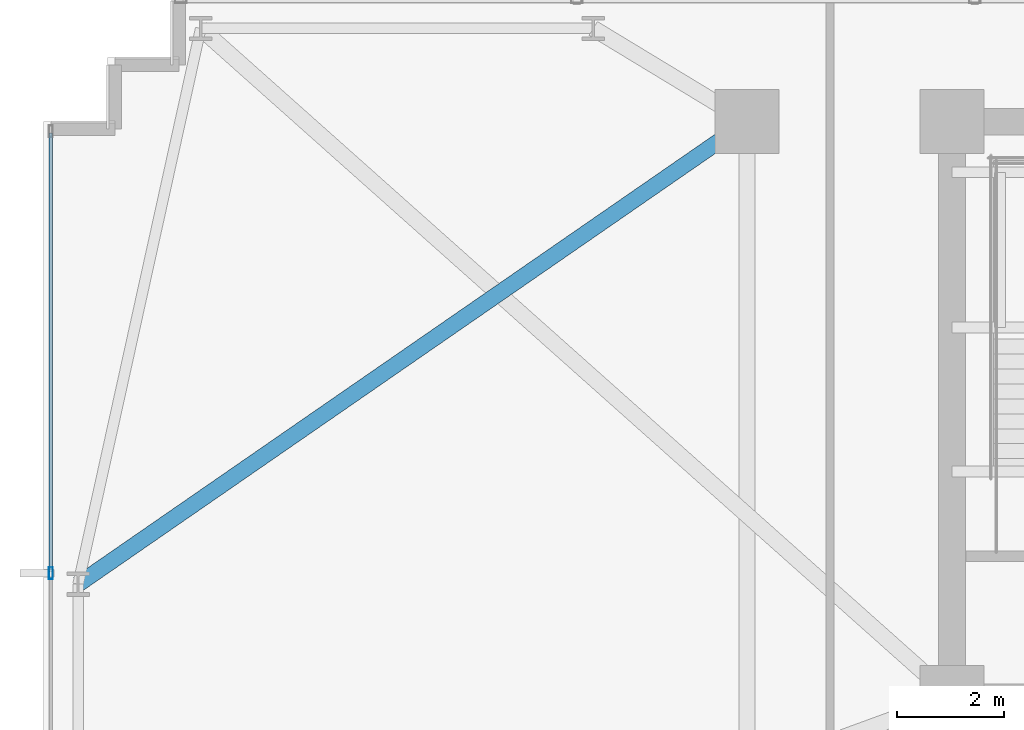
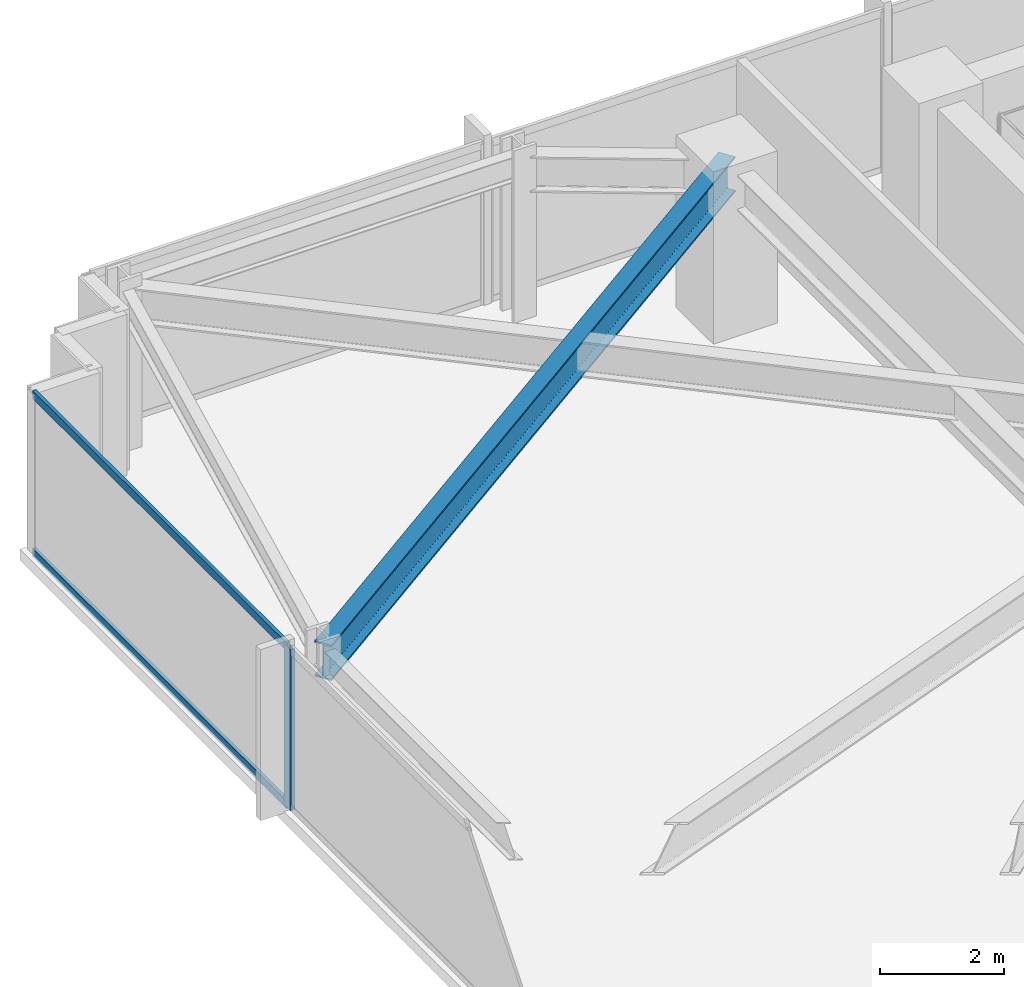
# One storey, part 9 of 32: 3 members, 1 beam, 1 element without a shape of its own.
"""IFC4 building model written with IfcOpenShell, lengths in metres."""

from ifc_helpers import new_model, si_unit, direction, frame, origin, origin_2d, place, context, subcontext, project, spatial, hollow_rectangle, i_section, extrude, material, material_profile, profile_set, type_object, element, aggregate, save


model = new_model("IFC4")

# Units and contexts
model_context = context("Model", 3, precision=1e-05, world=origin(), true_north=direction((0.0, 1.0)))
body_context = subcontext(model_context, "Body", "Model", "MODEL_VIEW")
ifc_project = project(units=[si_unit("LENGTHUNIT", "METRE"), si_unit("AREAUNIT", "SQUARE_METRE"), si_unit("VOLUMEUNIT", "CUBIC_METRE"), si_unit("PLANEANGLEUNIT", "RADIAN"), si_unit("MASSUNIT", "GRAM", prefix="KILO")], contexts=[model_context])

# Site, building, storey
site_placement = place(None, origin())
site = spatial("IfcSite", under=ifc_project, at=site_placement, CompositionType="ELEMENT")
building_placement = place(site_placement, origin())
building = spatial("IfcBuilding", under=site, at=building_placement, Name="Yelkora Congress Tower", CompositionType="ELEMENT")
storey_placement = place(building_placement, frame((0.0, 0.0, 44.0)))
storey = spatial("IfcBuildingStorey", under=building, at=storey_placement, Name="L10", CompositionType="ELEMENT", Elevation=44.0)

# Beam
ifc_material_1 = material(Name="Steel S355J2", Category="steel")
ifc_material_profile_1 = material_profile(ifc_material_1, i_section(OverallWidth=0.300048828125, OverallDepth=0.699951171875, WebThickness=0.01708984375, FlangeThickness=0.031982421875, FilletRadius=0.027099609375, at=origin_2d()), Name="HEB 700")
ifc_profile_set_1 = profile_set([ifc_material_profile_1], Name="Steel S355J2")
beam_type = type_object("IfcBeamType", Name="BM-GIRD-HEB700", PredefinedType="BEAM", material=ifc_profile_set_1)
beam_placement = place(storey_placement, frame((6.64990234375, 37.52490234375, 2.830078125), z_axis=(0.822604454175, 0.568614027238, 0.0), x_axis=(-0.568614027238, 0.822604454175, 0.0)))
element("IfcBeam", 1, at=beam_placement, inside=storey, type_object=beam_type, Name="L10 Primary Frame Girder W03", PredefinedType="BEAM", context=body_context, shape_type="SweptSolid", body=[
    extrude(i_section(OverallWidth=0.300048828125, OverallDepth=0.699951171875, WebThickness=0.01708984375, FlangeThickness=0.031982421875, FilletRadius=0.027099609375, at=origin_2d()), origin(), (0.0, 0.0, 1.0), 15.256591796875),
])

# Curtain wall, members
ifc_material_2 = material(Name="Anodised aluminium and insulated glass", Category="aluminium")
curtain_wall_type = type_object("IfcCurtainWallType", Name="CW-SYS-B1", PredefinedType="NOTDEFINED", material=ifc_material_2)
curtain_wall_placement = place(storey_placement, origin())
curtain_wall = element("IfcCurtainWall", 2, at=curtain_wall_placement, inside=storey, type_object=curtain_wall_type, Name="L10 Unitised Curtain Wall 5", PredefinedType="NOTDEFINED")
ifc_material_3 = material(Name="Anodised aluminium 6063-T6", Category="aluminium")
ifc_material_profile_2 = material_profile(ifc_material_3, hollow_rectangle(XDim=0.074951171875, YDim=0.219970703125, WallThickness=0.0048828125, at=origin_2d()), Name="ALU 75x220x5")
ifc_profile_set_2 = profile_set([ifc_material_profile_2], Name="Anodised aluminium 6063-T6")
member_type_1 = type_object("IfcMemberType", Name="MEM-ML-B1", PredefinedType="MULLION", material=ifc_profile_set_2)
member_1_placement = place(storey_placement, frame((6.139892578125, 37.72998046875, 0.0), z_axis=(0.0, 0.0, 1.0), x_axis=(-1.0, 0.0, 0.0)))
member_1 = element("IfcMember", 3, at=member_1_placement, type_object=member_type_1, Name="CW-B1 mullion 4", PredefinedType="MULLION", context=body_context, shape_type="SweptSolid", body=[
    extrude(hollow_rectangle(XDim=0.074951171875, YDim=0.219970703125, WallThickness=0.0048828125, at=origin_2d()), origin(), (0.0, 0.0, 1.0), 3.179931640625),
])
ifc_material_profile_3 = material_profile(ifc_material_3, hollow_rectangle(XDim=0.06494140625, YDim=0.159912109375, WallThickness=0.00390625, at=origin_2d()), Name="ALU 65x160x4")
ifc_profile_set_3 = profile_set([ifc_material_profile_3], Name="Anodised aluminium 6063-T6")
member_type_2 = type_object("IfcMemberType", Name="MEM-TR-B1", PredefinedType="USERDEFINED", material=ifc_profile_set_3)
member_2_placement = place(storey_placement, frame((6.139892578125, 37.767578125, 0.032470703125), z_axis=(0.0, 1.0, 0.0), x_axis=(-1.0, 0.0, 0.0)))
member_2 = element("IfcMember", 4, at=member_2_placement, type_object=member_type_2, Name="CW-B1 transom 4.1", ObjectType="TRANSOM", PredefinedType="USERDEFINED", context=body_context, shape_type="SweptSolid", body=[
    extrude(hollow_rectangle(XDim=0.06494140625, YDim=0.159912109375, WallThickness=0.00390625, at=origin_2d()), origin(), (0.0, 0.0, 1.0), 8.217529296875),
])
member_3_placement = place(storey_placement, frame((6.139892578125, 37.767578125, 3.1474609375), z_axis=(0.0, 1.0, 0.0), x_axis=(-1.0, 0.0, 0.0)))
member_3 = element("IfcMember", 5, at=member_3_placement, type_object=member_type_2, Name="CW-B1 transom 4.2", ObjectType="TRANSOM", PredefinedType="USERDEFINED", context=body_context, shape_type="SweptSolid", body=[
    extrude(hollow_rectangle(XDim=0.06494140625, YDim=0.159912109375, WallThickness=0.00390625, at=origin_2d()), origin(), (0.0, 0.0, 1.0), 8.217529296875),
])
aggregate(curtain_wall, [member_1, member_2, member_3])

save(model, "model.ifc")
